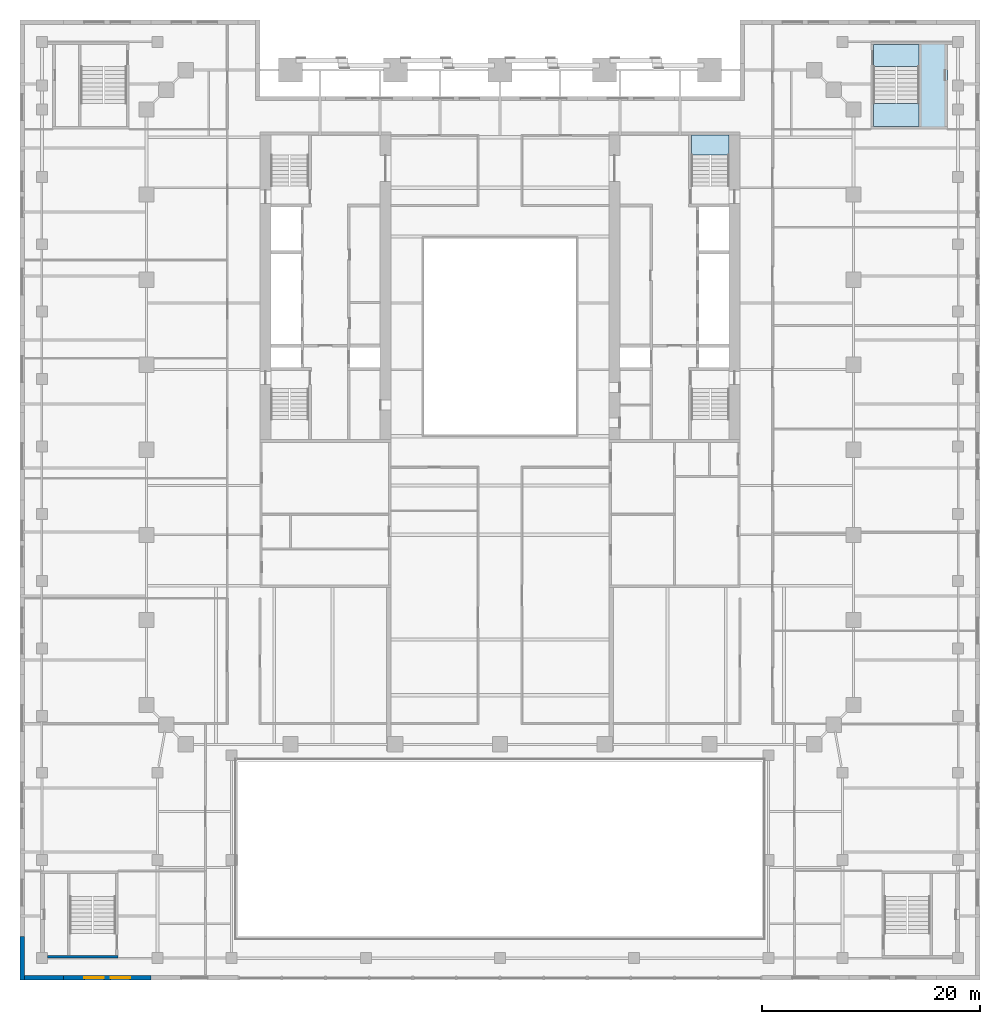
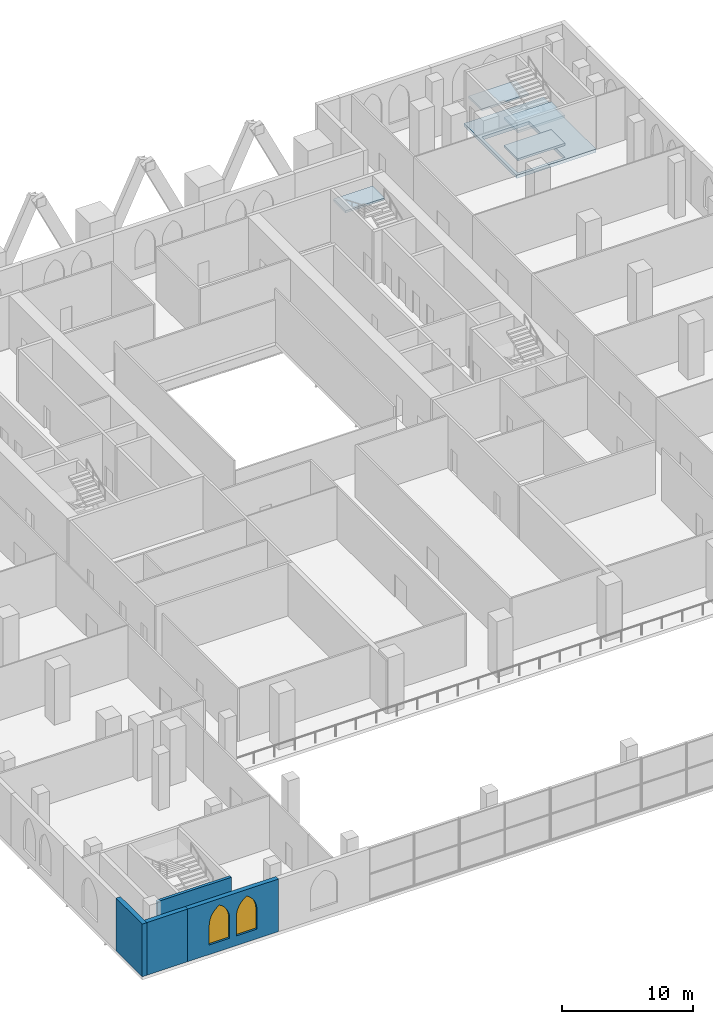
# One storey, part 8 of 22: 5 slabs, 4 walls, 2 windows, 2 openings, 2 elements without a shape of their own.
"""IFC4 building model written with IfcOpenShell, lengths in metres."""

from ifc_helpers import new_model, si_unit, direction, frame, frame_2d, origin, place, context, subcontext, project, spatial, polyline, rectangle, outline, extrude, material, layer, layer_set, type_object, element, fill, aggregate, save


model = new_model("IFC4")

# Units and contexts
model_context = context("Model", 3, precision=1e-05, world=origin(), true_north=direction((0.0, 1.0)))
body_context = subcontext(model_context, "Body", "Model", "MODEL_VIEW")
ifc_project = project(units=[si_unit("LENGTHUNIT", "METRE"), si_unit("AREAUNIT", "SQUARE_METRE"), si_unit("VOLUMEUNIT", "CUBIC_METRE"), si_unit("PLANEANGLEUNIT", "RADIAN"), si_unit("MASSUNIT", "GRAM", prefix="KILO")], contexts=[model_context])

# Site, building, storey
site_placement = place(None, origin())
site = spatial("IfcSite", under=ifc_project, at=site_placement, CompositionType="ELEMENT")
building_placement = place(site_placement, origin())
building = spatial("IfcBuilding", under=site, at=building_placement, Name="Ogive Exchange Tower", CompositionType="ELEMENT")
storey_placement = place(building_placement, frame((0.0, 0.0, 14.0)))
storey = spatial("IfcBuildingStorey", under=building, at=storey_placement, Name="L02", CompositionType="ELEMENT", Elevation=14.0)

# Slab
ifc_material_1 = material(Name="Concrete C70/85", Category="concrete")
ifc_layer_1 = layer(ifc_material_1, 0.300048828125)
ifc_layer_set_1 = layer_set([ifc_layer_1], Name="Core floor slab 300")
slab_type_1 = type_object("IfcSlabType", Name="Core floor slab 300", PredefinedType="FLOOR", material=ifc_layer_set_1)
slab_1_placement = place(storey_placement, frame((0.0, 0.0, -0.300048828125)))
element("IfcSlab", 1, at=slab_1_placement, inside=storey, type_object=slab_type_1, Name="Core floor slab", PredefinedType="FLOOR", context=body_context, shape_type="SweptSolid", body=[
    extrude(outline(polyline([(34.0, 26.0), (34.0, 34.0), (41.0, 34.0), (41.0, 26.0), (34.0, 26.0)]), holes=[polyline([(34.25, 26.25), (38.39990234375, 26.25), (38.39990234375, 31.74609375), (34.25, 31.74609375), (34.25, 26.25)])]), origin(), (0.0, 0.0, 1.0), 0.300048828125),
])

# Stair, slab
ifc_material_2 = material(Name="Concrete C40/50", Category="concrete")
stair_type_1 = type_object("IfcStairType", Name="Exit stair 1650 wide", PredefinedType="HALF_TURN_STAIR", material=ifc_material_2)
stair_1_placement = place(storey_placement, origin())
stair_1 = element("IfcStair", 2, at=stair_1_placement, inside=storey, type_object=stair_type_1, Name="L02 exit stair ST4", PredefinedType="HALF_TURN_STAIR")
ifc_layer_2 = layer(ifc_material_2, 0.199951171875)
ifc_layer_set_2 = layer_set([ifc_layer_2], Name="Stair landing 200 slab")
slab_type_2 = type_object("IfcSlabType", Name="Stair landing 200 slab", PredefinedType="LANDING", material=ifc_layer_set_2)
slab_2_placement = place(storey_placement, frame((0.0, 0.0, 3.699951171875)))
slab_2 = element("IfcSlab", 3, at=slab_2_placement, type_object=slab_type_2, Name="ST4 landing 3", PredefinedType="LANDING", context=body_context, shape_type="SweptSolid", body=[
    extrude(outline(polyline([(21.0, 23.60791015625), (21.0, 25.449951171875), (17.550048828125, 25.449951171875), (17.550048828125, 23.60791015625), (21.0, 23.60791015625)])), origin(), (0.0, 0.0, 1.0), 0.199951171875),
])
aggregate(stair_1, [slab_2])

# Stair, slabs
stair_type_2 = type_object("IfcStairType", Name="Exit stair 2000 wide", PredefinedType="HALF_TURN_STAIR", material=ifc_material_2)
stair_2_placement = place(storey_placement, origin())
stair_2 = element("IfcStair", 4, at=stair_2_placement, inside=storey, type_object=stair_type_2, Name="L02 exit stair PS4", PredefinedType="HALF_TURN_STAIR")
slab_3_placement = place(storey_placement, frame((0.0, 0.0, 1.10009765625)))
slab_3 = element("IfcSlab", 5, at=slab_3_placement, type_object=slab_type_2, Name="PS4 landing 1", PredefinedType="LANDING", context=body_context, shape_type="SweptSolid", body=[
    extrude(outline(polyline([(34.25, 28.347900390625), (34.25, 26.25), (38.39990234375, 26.25), (38.39990234375, 28.347900390625), (34.25, 28.347900390625)])), origin(), (0.0, 0.0, 1.0), 0.199951171875),
])
slab_4_placement = place(storey_placement, frame((0.0, 0.0, 2.39990234375)))
slab_4 = element("IfcSlab", 6, at=slab_4_placement, type_object=slab_type_2, Name="PS4 landing 2", PredefinedType="LANDING", context=body_context, shape_type="SweptSolid", body=[
    extrude(outline(polyline([(34.25, 33.75), (34.25, 31.75), (38.39990234375, 31.75), (38.39990234375, 33.75), (34.25, 33.75)])), origin(), (0.0, 0.0, 1.0), 0.2001953125),
])
slab_5_placement = place(storey_placement, frame((0.0, 0.0, 3.699951171875)))
slab_5 = element("IfcSlab", 7, at=slab_5_placement, type_object=slab_type_2, Name="PS4 landing 3", PredefinedType="LANDING", context=body_context, shape_type="SweptSolid", body=[
    extrude(outline(polyline([(34.25, 28.347900390625), (34.25, 26.25), (38.39990234375, 26.25), (38.39990234375, 28.347900390625), (34.25, 28.347900390625)])), origin(), (0.0, 0.0, 1.0), 0.199951171875),
])
aggregate(stair_2, [slab_3, slab_4, slab_5])

# Wall
ifc_material_3 = material(Name="Precast concrete C40/50", Category="concrete")
ifc_layer_3 = layer(ifc_material_3, 0.39990234375)
ifc_layer_set_3 = layer_set([ifc_layer_3], Name="Limestone-faced wall 400")
wall_type_1 = type_object("IfcWallType", Name="Limestone-faced wall 400", PredefinedType="STANDARD", material=ifc_layer_set_3)
wall_1_placement = place(storey_placement, frame((-43.60009765625, -51.800048828125, 0.0), z_axis=(0.0, 0.0, 1.0), x_axis=(1.0, 0.0, 0.0)))
element("IfcWall", 8, at=wall_1_placement, inside=storey, type_object=wall_type_1, Name="Podium wall S1", PredefinedType="STANDARD", context=body_context, shape_type="SweptSolid", body=[
    extrude(rectangle(XDim=3.60009765625, YDim=0.39990234375, at=frame_2d((1.800048828125, 0.0))), origin(), (0.0, 0.0, 1.0), 4.89990234375),
])

# Wall, openings, windows
wall_2_placement = place(storey_placement, frame((-40.0, -51.800048828125, 0.0), z_axis=(0.0, 0.0, 1.0), x_axis=(1.0, 0.0, 0.0)))
wall_2 = element("IfcWall", 9, at=wall_2_placement, inside=storey, type_object=wall_type_1, Name="Podium wall S2", PredefinedType="STANDARD", context=body_context, shape_type="SweptSolid", body=[
    extrude(rectangle(XDim=8.0, YDim=0.39990234375, at=frame_2d((4.0, 0.0))), origin(), (0.0, 0.0, 1.0), 4.89990234375),
])
opening_1_placement = place(wall_2_placement, frame((1.89990234375, 0.0, 0.89990234375)))
opening_1 = element("IfcOpeningElement", 10, at=opening_1_placement, cuts=wall_2, Name="Opening WQ340", PredefinedType="OPENING", context=body_context, shape_type="SweptSolid", body=[
    extrude(outline(polyline([(0.0, 0.0), (1.800048828125, 0.0), (1.800048828125, 1.841064453125), (1.78466796875, 2.075927734375), (1.73876953125, 2.306884765625), (1.6630859375, 2.52978515625), (1.558837890625, 2.740966796875), (1.427978515625, 2.936767578125), (1.272705078125, 3.11376953125), (1.095703125, 3.26904296875), (0.89990234375, 3.39990234375), (0.704345703125, 3.26904296875), (0.52734375, 3.11376953125), (0.3720703125, 2.936767578125), (0.2412109375, 2.740966796875), (0.136962890625, 2.52978515625), (0.061279296875, 2.306884765625), (0.015380859375, 2.075927734375), (0.0, 1.841064453125), (0.0, 0.0)])), frame((0.0, 0.2099609375, 0.0), z_axis=(0.0, -1.0, 0.0), x_axis=(1.0, 0.0, 0.0)), (0.0, 0.0, 1.0), 0.419921875),
])
opening_2_placement = place(wall_2_placement, frame((4.300048828125, 0.0, 0.89990234375)))
opening_2 = element("IfcOpeningElement", 11, at=opening_2_placement, cuts=wall_2, Name="Opening WQ340", PredefinedType="OPENING", context=body_context, shape_type="SweptSolid", body=[
    extrude(outline(polyline([(0.0, 0.0), (1.800048828125, 0.0), (1.800048828125, 1.841064453125), (1.78466796875, 2.075927734375), (1.73876953125, 2.306884765625), (1.6630859375, 2.52978515625), (1.558837890625, 2.740966796875), (1.427978515625, 2.936767578125), (1.272705078125, 3.11376953125), (1.095703125, 3.26904296875), (0.89990234375, 3.39990234375), (0.704345703125, 3.26904296875), (0.52734375, 3.11376953125), (0.3720703125, 2.936767578125), (0.2412109375, 2.740966796875), (0.136962890625, 2.52978515625), (0.061279296875, 2.306884765625), (0.015380859375, 2.075927734375), (0.0, 1.841064453125), (0.0, 0.0)])), frame((0.0, 0.2099609375, 0.0), z_axis=(0.0, -1.0, 0.0), x_axis=(1.0, 0.0, 0.0)), (0.0, 0.0, 1.0), 0.419921875),
])
ifc_material_4 = material(Name="Clear glass in bronze frame", Category="glass")
window_type = type_object("IfcWindowType", Name="Podium paired lancet 1800 x 3400", PartitioningType="DOUBLE_PANEL_VERTICAL", PredefinedType="WINDOW", material=ifc_material_4)
window_1_placement = place(opening_1_placement, origin())
window_1 = element("IfcWindow", 12, at=window_1_placement, inside=storey, type_object=window_type, Name="Podium paired lancet S2.1", OverallHeight=3.39990234375, OverallWidth=1.800048828125, PartitioningType="DOUBLE_PANEL_VERTICAL", PredefinedType="WINDOW", context=body_context, shape_type="SweptSolid", body=[
    extrude(outline(polyline([(0.0, 0.0), (1.800048828125, 0.0), (1.800048828125, 1.841064453125), (1.78466796875, 2.075927734375), (1.73876953125, 2.306884765625), (1.6630859375, 2.52978515625), (1.558837890625, 2.740966796875), (1.427978515625, 2.936767578125), (1.272705078125, 3.11376953125), (1.095703125, 3.26904296875), (0.89990234375, 3.39990234375), (0.704345703125, 3.26904296875), (0.52734375, 3.11376953125), (0.3720703125, 2.936767578125), (0.2412109375, 2.740966796875), (0.136962890625, 2.52978515625), (0.061279296875, 2.306884765625), (0.015380859375, 2.075927734375), (0.0, 1.841064453125), (0.0, 0.0)])), frame((0.0, 0.030029296875, 0.0), z_axis=(0.0, -1.0, 0.0), x_axis=(1.0, 0.0, 0.0)), (0.0, 0.0, 1.0), 0.06005859375),
])
fill(opening_1, window_1)
window_2_placement = place(opening_2_placement, origin())
window_2 = element("IfcWindow", 13, at=window_2_placement, inside=storey, type_object=window_type, Name="Podium paired lancet S2.2", OverallHeight=3.39990234375, OverallWidth=1.800048828125, PartitioningType="DOUBLE_PANEL_VERTICAL", PredefinedType="WINDOW", context=body_context, shape_type="SweptSolid", body=[
    extrude(outline(polyline([(0.0, 0.0), (1.800048828125, 0.0), (1.800048828125, 1.841064453125), (1.78466796875, 2.075927734375), (1.73876953125, 2.306884765625), (1.6630859375, 2.52978515625), (1.558837890625, 2.740966796875), (1.427978515625, 2.936767578125), (1.272705078125, 3.11376953125), (1.095703125, 3.26904296875), (0.89990234375, 3.39990234375), (0.704345703125, 3.26904296875), (0.52734375, 3.11376953125), (0.3720703125, 2.936767578125), (0.2412109375, 2.740966796875), (0.136962890625, 2.52978515625), (0.061279296875, 2.306884765625), (0.015380859375, 2.075927734375), (0.0, 1.841064453125), (0.0, 0.0)])), frame((0.0, 0.030029296875, 0.0), z_axis=(0.0, -1.0, 0.0), x_axis=(1.0, 0.0, 0.0)), (0.0, 0.0, 1.0), 0.06005859375),
])
fill(opening_2, window_2)

# Walls
wall_3_placement = place(storey_placement, frame((-43.800048828125, -48.0, 0.0), z_axis=(0.0, 0.0, 1.0), x_axis=(0.0, -1.0, 0.0)))
element("IfcWall", 14, at=wall_3_placement, inside=storey, type_object=wall_type_1, Name="Podium wall W12", PredefinedType="STANDARD", context=body_context, shape_type="SweptSolid", body=[
    extrude(rectangle(XDim=4.0, YDim=0.39990234375, at=frame_2d((2.0, 0.0))), origin(), (0.0, 0.0, 1.0), 4.89990234375),
])
ifc_layer_4 = layer(ifc_material_1, 0.25)
ifc_layer_set_4 = layer_set([ifc_layer_4], Name="RC core wall 250 C70/85")
wall_type_2 = type_object("IfcWallType", Name="RC core wall 250 C70/85", PredefinedType="SHEAR", material=ifc_layer_set_4)
wall_4_placement = place(storey_placement, frame((-41.5, -49.875, 0.0), z_axis=(0.0, 0.0, 1.0), x_axis=(1.0, 0.0, 0.0)))
element("IfcWall", 15, at=wall_4_placement, inside=storey, type_object=wall_type_2, Name="PS1 south wall", PredefinedType="SHEAR", context=body_context, shape_type="SweptSolid", body=[
    extrude(rectangle(XDim=6.5, YDim=0.25, at=frame_2d((3.25, 0.0))), origin(), (0.0, 0.0, 1.0), 4.89990234375),
])

save(model, "model.ifc")
